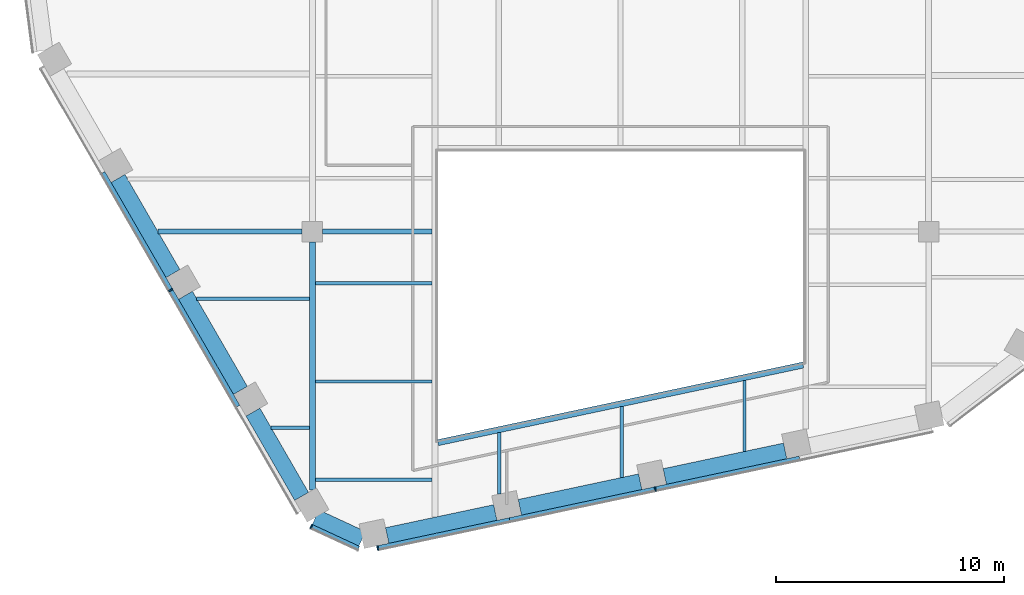
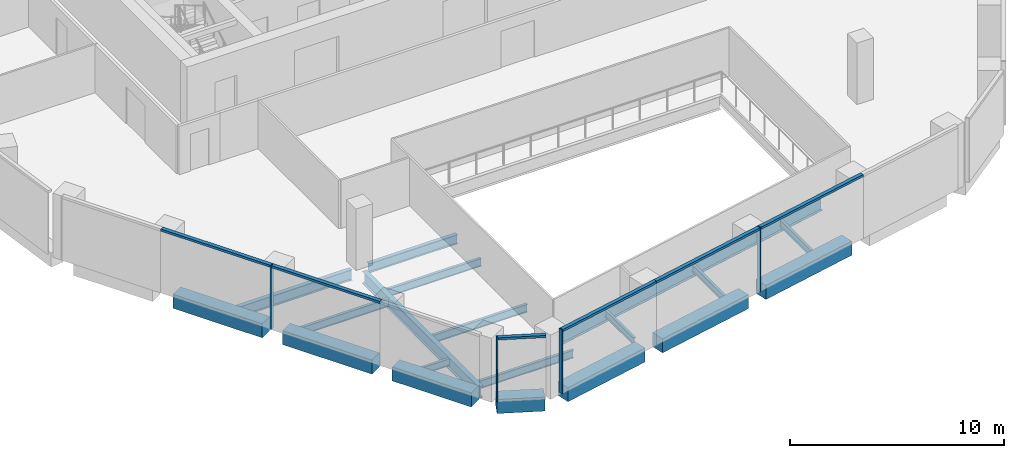
# One storey, part 2 of 15: 19 beams, 10 members, 3 elements without a shape of their own.
"""IFC4 building model written with IfcOpenShell, lengths in metres."""

from ifc_helpers import new_model, si_unit, direction, frame, origin, origin_2d, place, context, subcontext, project, spatial, rectangle, i_section, extrude, material, layer, layer_set, material_profile, profile_set, type_object, element, aggregate, save


model = new_model("IFC4")

# Units and contexts
model_context = context("Model", 3, precision=1e-05, world=origin(), true_north=direction((0.0, 1.0)))
body_context = subcontext(model_context, "Body", "Model", "MODEL_VIEW")
ifc_project = project(units=[si_unit("LENGTHUNIT", "METRE"), si_unit("AREAUNIT", "SQUARE_METRE"), si_unit("VOLUMEUNIT", "CUBIC_METRE"), si_unit("PLANEANGLEUNIT", "RADIAN"), si_unit("MASSUNIT", "GRAM", prefix="KILO")], contexts=[model_context])

# Site, building, storey
site_placement = place(None, origin())
site = spatial("IfcSite", under=ifc_project, at=site_placement, CompositionType="ELEMENT")
building_placement = place(site_placement, origin())
building = spatial("IfcBuilding", under=site, at=building_placement, Name="Isthmus Gate Tower", CompositionType="ELEMENT")
storey_placement = place(building_placement, frame((0.0, 0.0, 227.25)))
storey = spatial("IfcBuildingStorey", under=building, at=storey_placement, Name="L57", CompositionType="ELEMENT", Elevation=227.25)

# Curtain wall, member
ifc_material_1 = material(Name="Aluminium, pale champagne anodised", Category="aluminium")
ifc_layer = layer(ifc_material_1, 0.199951171875)
ifc_layer_set = layer_set([ifc_layer], Name="CW-1 UNITISED CURTAIN WALL 200 DEEP")
curtain_wall_type = type_object("IfcCurtainWallType", Name="CW-1 UNITISED CURTAIN WALL 200 DEEP", PredefinedType="NOTDEFINED", material=ifc_layer_set)
curtain_wall_1_placement = place(storey_placement, origin())
curtain_wall_1 = element("IfcCurtainWall", 1, at=curtain_wall_1_placement, inside=storey, type_object=curtain_wall_type, Name="CW-1 SW L57", PredefinedType="NOTDEFINED")
ifc_material_2 = material(Name="Aluminium, pale champagne anodised", Category="aluminium")
ifc_material_profile_1 = material_profile(ifc_material_2, rectangle(XDim=0.06005859375, YDim=0.199951171875, at=origin_2d()), Name="60x200")
ifc_profile_set_1 = profile_set([ifc_material_profile_1], Name="Aluminium, pale champagne anodised")
member_type_1 = type_object("IfcMemberType", Name="CW-1 MULLION 60 X 200", PredefinedType="MULLION", material=ifc_profile_set_1)
member_1_placement = place(storey_placement, frame((-19.707275390625, -16.066162109375, 0.0), z_axis=(0.0, 0.0, 1.0), x_axis=(0.5, -0.866025403784, 0.0)))
member_1 = element("IfcMember", 2, at=member_1_placement, type_object=member_type_1, Name="CW-1 mullion", PredefinedType="MULLION", context=body_context, shape_type="SweptSolid", body=[
    extrude(rectangle(XDim=0.06005859375, YDim=0.199951171875, at=origin_2d()), origin(), (0.0, 0.0, 1.0), 3.64990234375),
])

curtain_wall_2_placement = place(storey_placement, origin())
curtain_wall_2 = element("IfcCurtainWall", 3, at=curtain_wall_2_placement, inside=storey, type_object=curtain_wall_type, Name="CW-1 SW-S L57", PredefinedType="NOTDEFINED")
member_2_placement = place(storey_placement, frame((-13.54833984375, -26.419677734375, 0.0), z_axis=(0.0, 0.0, 1.0), x_axis=(0.907256261367, -0.420578264073, 0.0)))
member_2 = element("IfcMember", 4, at=member_2_placement, type_object=member_type_1, Name="CW-1 mullion", PredefinedType="MULLION", context=body_context, shape_type="SweptSolid", body=[
    extrude(rectangle(XDim=0.06005859375, YDim=0.199951171875, at=origin_2d()), origin(), (0.0, 0.0, 1.0), 3.64990234375),
])

# Curtain wall, members
curtain_wall_3_placement = place(storey_placement, origin())
curtain_wall_3 = element("IfcCurtainWall", 5, at=curtain_wall_3_placement, inside=storey, type_object=curtain_wall_type, Name="CW-1 S L57", PredefinedType="NOTDEFINED")
member_3_placement = place(storey_placement, frame((-10.6376953125, -27.36328125, 0.0), z_axis=(0.0, 0.0, 1.0), x_axis=(0.978147600734, 0.207911690818, 0.0)))
member_3 = element("IfcMember", 6, at=member_3_placement, type_object=member_type_1, Name="CW-1 mullion", PredefinedType="MULLION", context=body_context, shape_type="SweptSolid", body=[
    extrude(rectangle(XDim=0.06005859375, YDim=0.199951171875, at=origin_2d()), origin(), (0.0, 0.0, 1.0), 3.64990234375),
])
member_4_placement = place(storey_placement, frame((1.5244140625, -24.7783203125, 0.0), z_axis=(0.0, 0.0, 1.0), x_axis=(0.978147600734, 0.207911690818, 0.0)))
member_4 = element("IfcMember", 7, at=member_4_placement, type_object=member_type_1, Name="CW-1 mullion", PredefinedType="MULLION", context=body_context, shape_type="SweptSolid", body=[
    extrude(rectangle(XDim=0.06005859375, YDim=0.199951171875, at=origin_2d()), origin(), (0.0, 0.0, 1.0), 3.64990234375),
])

# Member
ifc_material_3 = material(Name="Aluminium, pale champagne anodised", Category="aluminium")
ifc_material_profile_2 = material_profile(ifc_material_3, rectangle(XDim=0.199951171875, YDim=0.1298828125, at=origin_2d()), Name="200x130")
ifc_profile_set_2 = profile_set([ifc_material_profile_2], Name="Aluminium, pale champagne anodised")
member_type_2 = type_object("IfcMemberType", Name="CW-1 TRANSOM 200 X 130", PredefinedType="USERDEFINED", material=ifc_profile_set_2)
member_5_placement = place(storey_placement, frame((-22.677490234375, -10.92138671875, 3.5849609375), z_axis=(0.500008496284, -0.866020498397, 0.0), x_axis=(0.866020498397, 0.500008496284, 0.0)))
member_5 = element("IfcMember", 8, at=member_5_placement, type_object=member_type_2, Name="CW-1 transom", ObjectType="TRANSOM", PredefinedType="USERDEFINED", context=body_context, shape_type="SweptSolid", body=[
    extrude(rectangle(XDim=0.199951171875, YDim=0.1298828125, at=origin_2d()), origin(), (0.0, 0.0, 1.0), 5.91064453125),
])

member_6_placement = place(storey_placement, frame((-19.692138671875, -16.092041015625, 3.5849609375), z_axis=(0.49998975084, -0.866031321059, 0.0), x_axis=(0.866031321059, 0.49998975084, 0.0)))
member_6 = element("IfcMember", 9, at=member_6_placement, type_object=member_type_2, Name="CW-1 transom", ObjectType="TRANSOM", PredefinedType="USERDEFINED", context=body_context, shape_type="SweptSolid", body=[
    extrude(rectangle(XDim=0.199951171875, YDim=0.1298828125, at=origin_2d()), origin(), (0.0, 0.0, 1.0), 5.8505859375),
])

aggregate(curtain_wall_1, [member_5, member_1, member_6])

member_7_placement = place(storey_placement, frame((-13.521240234375, -26.432373046875, 3.5849609375), z_axis=(0.907246225564, -0.420599912268, 0.0), x_axis=(0.420599912268, 0.907246225564, 0.0)))
member_7 = element("IfcMember", 10, at=member_7_placement, type_object=member_type_2, Name="CW-1 transom", ObjectType="TRANSOM", PredefinedType="USERDEFINED", context=body_context, shape_type="SweptSolid", body=[
    extrude(rectangle(XDim=0.199951171875, YDim=0.1298828125, at=origin_2d()), origin(), (0.0, 0.0, 1.0), 2.258544921875),
])

aggregate(curtain_wall_2, [member_2, member_7])

member_8_placement = place(storey_placement, frame((-10.6083984375, -27.357177734375, 3.5849609375), z_axis=(0.978148511799, 0.207907404549, 0.0), x_axis=(-0.207907404549, 0.978148511799, 0.0)))
member_8 = element("IfcMember", 11, at=member_8_placement, type_object=member_type_2, Name="CW-1 transom", ObjectType="TRANSOM", PredefinedType="USERDEFINED", context=body_context, shape_type="SweptSolid", body=[
    extrude(rectangle(XDim=0.199951171875, YDim=0.1298828125, at=origin_2d()), origin(), (0.0, 0.0, 1.0), 5.8818359375),
])

member_9_placement = place(storey_placement, frame((-4.85498046875, -26.13427734375, 3.5849609375), z_axis=(0.978142886198, 0.207933869729, 0.0), x_axis=(-0.207933869729, 0.978142886198, 0.0)))
member_9 = element("IfcMember", 12, at=member_9_placement, type_object=member_type_2, Name="CW-1 transom", ObjectType="TRANSOM", PredefinedType="USERDEFINED", context=body_context, shape_type="SweptSolid", body=[
    extrude(rectangle(XDim=0.199951171875, YDim=0.1298828125, at=origin_2d()), origin(), (0.0, 0.0, 1.0), 6.49169921875),
])

member_10_placement = place(storey_placement, frame((1.5537109375, -24.77197265625, 3.5849609375), z_axis=(0.978150457162, 0.207898251926, 0.0), x_axis=(-0.207898251926, 0.978150457162, 0.0)))
member_10 = element("IfcMember", 13, at=member_10_placement, type_object=member_type_2, Name="CW-1 transom", ObjectType="TRANSOM", PredefinedType="USERDEFINED", context=body_context, shape_type="SweptSolid", body=[
    extrude(rectangle(XDim=0.199951171875, YDim=0.1298828125, at=origin_2d()), origin(), (0.0, 0.0, 1.0), 6.431884765625),
])

aggregate(curtain_wall_3, [member_3, member_8, member_9, member_4, member_10])

# Beams
ifc_material_4 = material(Name="Concrete f'c 50 MPa", Category="concrete")
ifc_material_profile_3 = material_profile(ifc_material_4, rectangle(XDim=0.699951171875, YDim=0.800048828125, at=origin_2d()), Name="RC 700X800")
ifc_profile_set_3 = profile_set([ifc_material_profile_3], Name="Concrete f'c 50 MPa")
beam_type_1 = type_object("IfcBeamType", Name="RC SPANDREL 700 X 800", PredefinedType="SPANDREL", material=ifc_profile_set_3)
for number, where, z_axis, x_axis, name in (
    (14, (7.21337890625, -23.10888671875, -0.39990234375), (-0.978144348563, -0.207926990492, 0.0), (0.207926990492, -0.978144348563, 0.0), "str-spandrel-L57-12"),
    (15, (0.863525390625, -24.458740234375, -0.39990234375), (-0.978155513612, -0.207874460167, 0.0), (0.207874460167, -0.978155513612, 0.0), "str-spandrel-L57-13"),
):
    element("IfcBeam", number, at=place(storey_placement, frame(where, z_axis=z_axis, x_axis=x_axis)), inside=storey, type_object=beam_type_1, Name=name, PredefinedType="SPANDREL", context=body_context, shape_type="SweptSolid", body=[
        extrude(rectangle(XDim=0.699951171875, YDim=0.800048828125, at=origin_2d()), origin(), (0.0, 0.0, 1.0), 5.391845703125),
    ])
beam_1_placement = place(storey_placement, frame((-5.486572265625, -25.808349609375, -0.39990234375), z_axis=(-0.978141291228, -0.207941372495, 0.0), x_axis=(0.207941372495, -0.978141291228, 0.0)))
element("IfcBeam", 16, at=beam_1_placement, inside=storey, type_object=beam_type_1, Name="str-spandrel-L57-14", PredefinedType="SPANDREL", context=body_context, shape_type="SweptSolid", body=[
    extrude(rectangle(XDim=0.699951171875, YDim=0.800048828125, at=origin_2d()), origin(), (0.0, 0.0, 1.0), 4.842041015625),
])
beam_2_placement = place(storey_placement, frame((-11.31689453125, -26.958251953125, -0.39990234375), z_axis=(-0.907254968276, 0.42058105347, 0.0), x_axis=(-0.42058105347, -0.907254968276, 0.0)))
element("IfcBeam", 17, at=beam_2_placement, inside=storey, type_object=beam_type_1, Name="str-spandrel-L57-15", PredefinedType="SPANDREL", context=body_context, shape_type="SweptSolid", body=[
    extrude(rectangle(XDim=0.699951171875, YDim=0.800048828125, at=origin_2d()), origin(), (0.0, 0.0, 1.0), 2.245849609375),
])
beam_3_placement = place(storey_placement, frame((-13.971923828125, -25.10009765625, -0.39990234375), z_axis=(-0.499996907167, 0.866027189425, 0.0), x_axis=(-0.866027189425, -0.499996907167, 0.0)))
element("IfcBeam", 18, at=beam_3_placement, inside=storey, type_object=beam_type_1, Name="str-spandrel-L57-16", PredefinedType="SPANDREL", context=body_context, shape_type="SweptSolid", body=[
    extrude(rectangle(XDim=0.699951171875, YDim=0.800048828125, at=origin_2d()), origin(), (0.0, 0.0, 1.0), 4.2607421875),
])
for number, where, z_axis, x_axis, name in (
    (19, (-16.652099609375, -20.45751953125, -0.39990234375), (-0.500003616288, 0.866023315909, 0.0), (-0.866023315909, -0.500003616288, 0.0), "str-spandrel-L57-17"),
    (20, (-19.607421875, -15.3388671875, -0.39990234375), (-0.500003616288, 0.866023315909, 0.0), (-0.866023315909, -0.500003616288, 0.0), "str-spandrel-L57-18"),
):
    element("IfcBeam", number, at=place(storey_placement, frame(where, z_axis=z_axis, x_axis=x_axis)), inside=storey, type_object=beam_type_1, Name=name, PredefinedType="SPANDREL", context=body_context, shape_type="SweptSolid", body=[
        extrude(rectangle(XDim=0.699951171875, YDim=0.800048828125, at=origin_2d()), origin(), (0.0, 0.0, 1.0), 4.810546875),
    ])
ifc_material_5 = material(Name="Structural steel ASTM A992 Gr 50", Category="steel")
ifc_material_profile_4 = material_profile(ifc_material_5, i_section(OverallWidth=0.1396484375, OverallDepth=0.4033203125, WebThickness=0.00634765625, FlangeThickness=0.010986328125, at=origin_2d()), Name="W16X31")
ifc_profile_set_4 = profile_set([ifc_material_profile_4], Name="Structural steel ASTM A992 Gr 50")
beam_type_2 = type_object("IfcBeamType", Name="STEEL FLOOR BEAM W16X31", PredefinedType="JOIST", material=ifc_profile_set_4)
beam_4_placement = place(storey_placement, frame((-15.30126953125, -22.097412109375, -0.3515625), z_axis=(1.0, 0.0, 0.0), x_axis=(0.0, 1.0, 0.0)))
element("IfcBeam", 21, at=beam_4_placement, inside=storey, type_object=beam_type_2, Name="str-beam-L57-02-00", PredefinedType="JOIST", context=body_context, shape_type="SweptSolid", body=[
    extrude(i_section(OverallWidth=0.1396484375, OverallDepth=0.4033203125, WebThickness=0.00634765625, FlangeThickness=0.010986328125, at=origin_2d()), origin(), (0.0, 0.0, 1.0), 1.67431640625),
])
beam_5_placement = place(storey_placement, frame((-5.314208984375, -25.005126953125, -0.3515625), z_axis=(0.0, 1.0, 0.0), x_axis=(-1.0, 0.0, 0.0)))
element("IfcBeam", 22, at=beam_5_placement, inside=storey, type_object=beam_type_2, Name="str-beam-L57-06-00", PredefinedType="JOIST", context=body_context, shape_type="SweptSolid", body=[
    extrude(i_section(OverallWidth=0.1396484375, OverallDepth=0.4033203125, WebThickness=0.00634765625, FlangeThickness=0.010986328125, at=origin_2d()), origin(), (0.0, 0.0, 1.0), 2.692138671875),
])
for number, where, z_axis, x_axis, name in (
    (23, (0.05712890625, -24.272216796875, -0.3515625), (0.0, 1.0, 0.0), (-1.0, 0.0, 0.0), "str-beam-L57-06-01"),
    (24, (5.428466796875, -23.13037109375, -0.3515625), (0.0, 1.0, 0.0), (-1.0, 0.0, 0.0), "str-beam-L57-06-02"),
):
    element("IfcBeam", number, at=place(storey_placement, frame(where, z_axis=z_axis, x_axis=x_axis)), inside=storey, type_object=beam_type_2, Name=name, PredefinedType="JOIST", context=body_context, shape_type="SweptSolid", body=[
        extrude(i_section(OverallWidth=0.1396484375, OverallDepth=0.4033203125, WebThickness=0.00634765625, FlangeThickness=0.010986328125, at=origin_2d()), origin(), (0.0, 0.0, 1.0), 3.10107421875),
    ])
ifc_material_6 = material(Name="Structural steel ASTM A992 Gr 50", Category="steel")
ifc_material_profile_5 = material_profile(ifc_material_6, i_section(OverallWidth=0.15234375, OverallDepth=0.45068359375, WebThickness=0.0078125, FlangeThickness=0.010986328125, at=origin_2d()), Name="W18X35")
ifc_profile_set_5 = profile_set([ifc_material_profile_5], Name="Structural steel ASTM A992 Gr 50")
beam_type_3 = type_object("IfcBeamType", Name="STEEL FLOOR BEAM W18X35", PredefinedType="JOIST", material=ifc_profile_set_5)
beam_6_placement = place(storey_placement, frame((-18.56640625, -16.44189453125, -0.37548828125), z_axis=(1.0, 0.0, 0.0), x_axis=(0.0, 1.0, 0.0)))
element("IfcBeam", 25, at=beam_6_placement, inside=storey, type_object=beam_type_3, Name="str-beam-L57-02-01", PredefinedType="JOIST", context=body_context, shape_type="SweptSolid", body=[
    extrude(i_section(OverallWidth=0.15234375, OverallDepth=0.45068359375, WebThickness=0.0078125, FlangeThickness=0.010986328125, at=origin_2d()), origin(), (0.0, 0.0, 1.0), 4.939453125),
])
for number, where, z_axis, x_axis, name in (
    (26, (-13.373046875, -24.3759765625, -0.37548828125), (1.0, 0.0, 0.0), (0.0, 1.0, 0.0), "str-beam-L57-04-00"),
    (27, (-13.373046875, -20.0673828125, -0.37548828125), (1.0, 0.0, 0.0), (0.0, 1.0, 0.0), "str-beam-L57-04-01"),
    (28, (-13.373046875, -15.759033203125, -0.37548828125), (1.0, 0.0, 0.0), (0.0, 1.0, 0.0), "str-beam-L57-04-02"),
):
    element("IfcBeam", number, at=place(storey_placement, frame(where, z_axis=z_axis, x_axis=x_axis)), inside=storey, type_object=beam_type_3, Name=name, PredefinedType="JOIST", context=body_context, shape_type="SweptSolid", body=[
        extrude(i_section(OverallWidth=0.15234375, OverallDepth=0.45068359375, WebThickness=0.0078125, FlangeThickness=0.010986328125, at=origin_2d()), origin(), (0.0, 0.0, 1.0), 5.109619140625),
    ])
ifc_material_7 = material(Name="Structural steel ASTM A992 Gr 50", Category="steel")
ifc_material_profile_6 = material_profile(ifc_material_7, i_section(OverallWidth=0.20947265625, OverallDepth=0.533447265625, WebThickness=0.009521484375, FlangeThickness=0.015869140625, at=origin_2d()), Name="W21X62")
ifc_profile_set_6 = profile_set([ifc_material_profile_6], Name="Structural steel ASTM A992 Gr 50")
beam_type_4 = type_object("IfcBeamType", Name="STEEL GIRDER W21X62", PredefinedType="BEAM", material=ifc_profile_set_6)
beam_7_placement = place(storey_placement, frame((-13.050048828125, -13.5, -0.416748046875), z_axis=(1.0, 0.0, 0.0), x_axis=(0.0, 1.0, 0.0)))
element("IfcBeam", 29, at=beam_7_placement, inside=storey, type_object=beam_type_4, Name="str-girder-L57-02", PredefinedType="BEAM", context=body_context, shape_type="SweptSolid", body=[
    extrude(i_section(OverallWidth=0.20947265625, OverallDepth=0.533447265625, WebThickness=0.009521484375, FlangeThickness=0.015869140625, at=origin_2d()), origin(), (0.0, 0.0, 1.0), 4.78662109375),
])
ifc_material_8 = material(Name="Structural steel ASTM A992 Gr 50", Category="steel")
ifc_material_profile_7 = material_profile(ifc_material_8, i_section(OverallWidth=0.228515625, OverallDepth=0.603271484375, WebThickness=0.010986328125, FlangeThickness=0.014404296875, at=origin_2d()), Name="W24X68")
ifc_profile_set_7 = profile_set([ifc_material_profile_7], Name="Structural steel ASTM A992 Gr 50")
beam_type_5 = type_object("IfcBeamType", Name="STEEL GIRDER W24X68", PredefinedType="BEAM", material=ifc_profile_set_7)
beam_8_placement = place(storey_placement, frame((-20.264892578125, -13.5, -0.45166015625), z_axis=(1.0, 0.0, 0.0), x_axis=(0.0, 1.0, 0.0)))
element("IfcBeam", 30, at=beam_8_placement, inside=storey, type_object=beam_type_5, Name="str-girder-L57-01", PredefinedType="BEAM", context=body_context, shape_type="SweptSolid", body=[
    extrude(i_section(OverallWidth=0.228515625, OverallDepth=0.603271484375, WebThickness=0.010986328125, FlangeThickness=0.014404296875, at=origin_2d()), origin(), (0.0, 0.0, 1.0), 6.31494140625),
])
ifc_material_9 = material(Name="Structural steel ASTM A992 Gr 50", Category="steel")
ifc_material_profile_8 = material_profile(ifc_material_9, i_section(OverallWidth=0.25390625, OverallDepth=0.679443359375, WebThickness=0.010986328125, FlangeThickness=0.015869140625, at=origin_2d()), Name="W27X84")
ifc_profile_set_8 = profile_set([ifc_material_profile_8], Name="Structural steel ASTM A992 Gr 50")
beam_type_6 = type_object("IfcBeamType", Name="STEEL GIRDER W27X84", PredefinedType="BEAM", material=ifc_profile_set_8)
beam_9_placement = place(storey_placement, frame((-13.5, -24.82763671875, -0.48974609375), z_axis=(0.0, 1.0, 0.0), x_axis=(-1.0, 0.0, 0.0)))
element("IfcBeam", 31, at=beam_9_placement, inside=storey, type_object=beam_type_6, Name="str-girder-L57-05", PredefinedType="BEAM", context=body_context, shape_type="SweptSolid", body=[
    extrude(i_section(OverallWidth=0.25390625, OverallDepth=0.679443359375, WebThickness=0.010986328125, FlangeThickness=0.015869140625, at=origin_2d()), origin(), (0.0, 0.0, 1.0), 10.877685546875),
])
ifc_material_10 = material(Name="Structural steel ASTM A992 Gr 50", Category="steel")
ifc_material_profile_9 = material_profile(ifc_material_10, i_section(OverallWidth=0.2666015625, OverallDepth=0.7587890625, WebThickness=0.014404296875, FlangeThickness=0.01904296875, at=origin_2d()), Name="W30X108")
ifc_profile_set_9 = profile_set([ifc_material_profile_9], Name="Structural steel ASTM A992 Gr 50")
beam_type_7 = type_object("IfcBeamType", Name="STEEL TRIMMER W30X108", PredefinedType="BEAM", material=ifc_profile_set_9)
beam_10_placement = place(storey_placement, frame((-8.0, -22.747314453125, -0.529296875), z_axis=(0.978147924985, 0.20791016533, 0.0), x_axis=(-0.20791016533, 0.978147924985, 0.0)))
element("IfcBeam", 32, at=beam_10_placement, inside=storey, type_object=beam_type_7, Name="str-trimmer-L57-03", PredefinedType="BEAM", context=body_context, shape_type="SweptSolid", body=[
    extrude(i_section(OverallWidth=0.2666015625, OverallDepth=0.7587890625, WebThickness=0.014404296875, FlangeThickness=0.01904296875, at=origin_2d()), origin(), (0.0, 0.0, 1.0), 16.357421875),
])

save(model, "model.ifc")
